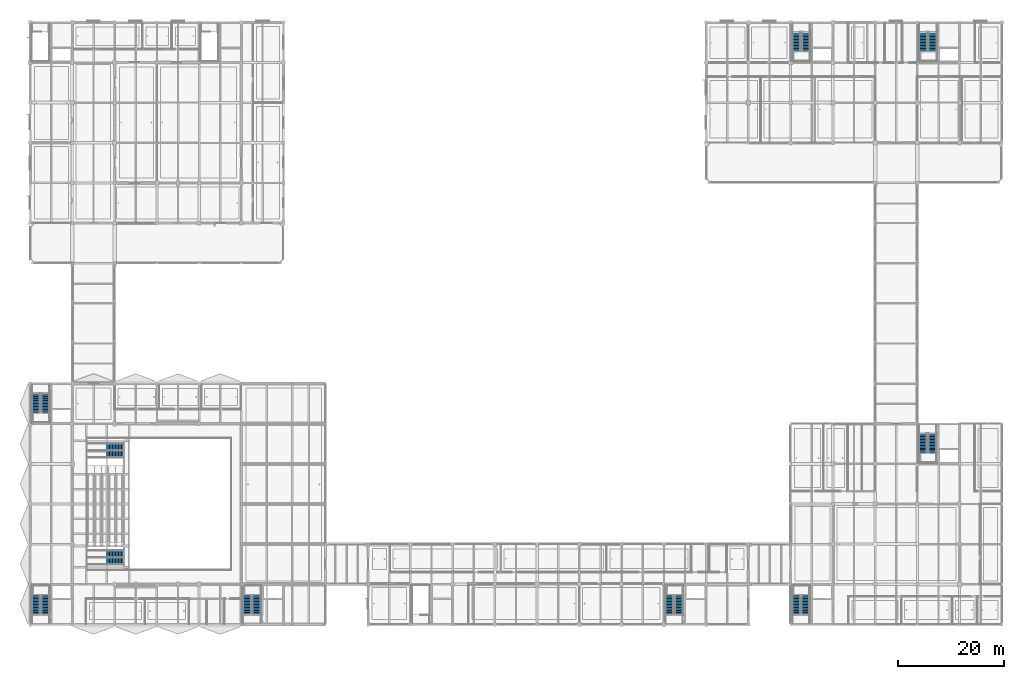
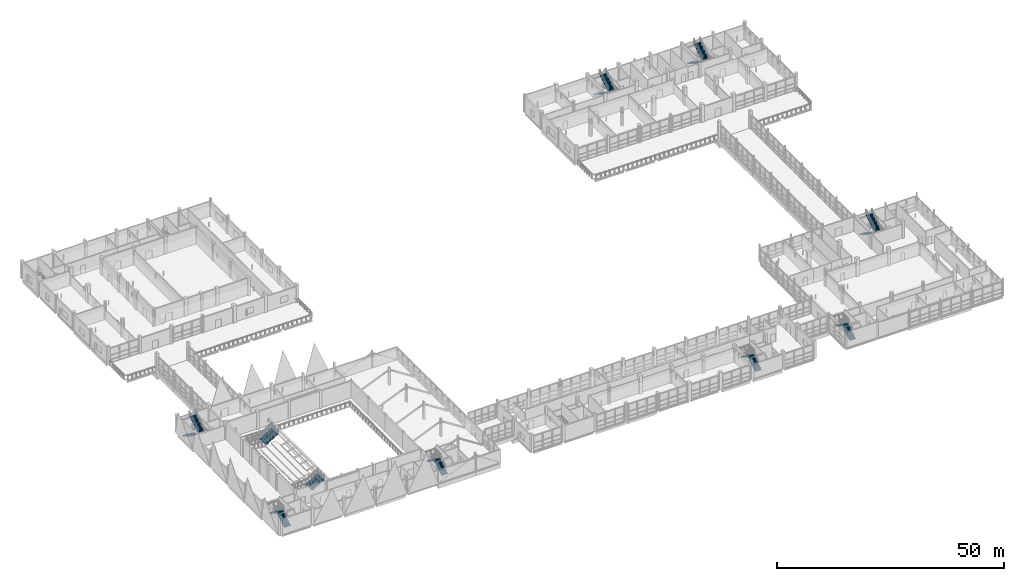
# One storey, part 98 of 141: 20 stair flights, 12 elements without a shape of their own.
"""IFC4 building model written with IfcOpenShell, lengths in metres."""

from ifc_helpers import new_model, si_unit, direction, frame, origin, place, context, subcontext, project, spatial, polyline, outline, extrude, material, type_object, element, aggregate, save


model = new_model("IFC4")

# Units and contexts
model_context = context("Model", 3, precision=1e-05, world=origin(), true_north=direction((0.0, 1.0)))
body_context = subcontext(model_context, "Body", "Model", "MODEL_VIEW")
ifc_project = project(units=[si_unit("LENGTHUNIT", "METRE"), si_unit("AREAUNIT", "SQUARE_METRE"), si_unit("VOLUMEUNIT", "CUBIC_METRE"), si_unit("PLANEANGLEUNIT", "RADIAN"), si_unit("MASSUNIT", "GRAM", prefix="KILO")], contexts=[model_context])

# Site, building, storey
site_placement = place(None, origin())
site = spatial("IfcSite", under=ifc_project, at=site_placement, CompositionType="ELEMENT")
building_placement = place(site_placement, origin())
building = spatial("IfcBuilding", under=site, at=building_placement, Name="Khelvaren Railside Concert Hall", CompositionType="ELEMENT")
storey_placement = place(building_placement, frame((0.0, 0.0, 10.199951171875)))
storey = spatial("IfcBuildingStorey", under=building, at=storey_placement, Name="L02", CompositionType="ELEMENT", Elevation=10.199951171875)

# Stair, stair flights
ifc_material_1 = material(Name="Concrete C40/50", Category="concrete")
stair_type_1 = type_object("IfcStairType", Name="ST52", PredefinedType="HALF_TURN_STAIR", material=ifc_material_1)
stair_1_placement = place(storey_placement, origin())
stair_1 = element("IfcStair", 1, at=stair_1_placement, inside=storey, type_object=stair_type_1, Name="L02 Core Exit Stair ST-01", PredefinedType="HALF_TURN_STAIR")
stair_flight_type_1 = type_object("IfcStairFlightType", Name="STF21", PredefinedType="STRAIGHT", material=ifc_material_1)
stair_flight_1_placement = place(storey_placement, frame((2.89990234375, 1.840087890625, 0.0), z_axis=(0.0, 0.0, 1.0), x_axis=(0.0, 1.0, 0.0)))
stair_flight_1 = element("IfcStairFlight", 2, at=stair_flight_1_placement, type_object=stair_flight_type_1, Name="ST-01 flight 1", NumberOfRisers=14, NumberOfTreads=13, PredefinedType="STRAIGHT", RiserHeight=0.171428571, TreadLength=0.28, context=body_context, shape_type="SweptSolid", body=[
    extrude(outline(polyline([(0.0, 0.0), (0.0, 0.17138671875), (0.280029296875, 0.17138671875), (0.280029296875, 0.3427734375), (0.56005859375, 0.3427734375), (0.56005859375, 0.514404296875), (0.840087890625, 0.514404296875), (0.840087890625, 0.685791015625), (1.1201171875, 0.685791015625), (1.1201171875, 0.857177734375), (1.39990234375, 0.857177734375), (1.39990234375, 1.028564453125), (1.679931640625, 1.028564453125), (1.679931640625, 1.199951171875), (1.9599609375, 1.199951171875), (1.9599609375, 1.371337890625), (2.239990234375, 1.371337890625), (2.239990234375, 1.54296875), (2.52001953125, 1.54296875), (2.52001953125, 1.71435546875), (2.800048828125, 1.71435546875), (2.800048828125, 1.8857421875), (3.080078125, 1.8857421875), (3.080078125, 2.05712890625), (3.360107421875, 2.05712890625), (3.360107421875, 2.228515625), (3.639892578125, 2.228515625), (3.639892578125, 2.39990234375), (3.639892578125, 2.052734375), (0.287109375, 0.0), (0.0, 0.0)])), frame((0.0, 0.800048828125, 0.0), z_axis=(0.0, -1.0, 0.0), x_axis=(1.0, 0.0, 0.0)), (0.0, 0.0, 1.0), 1.60009765625),
])
stair_flight_2_placement = place(storey_placement, frame((1.10009765625, 5.47998046875, 2.400146484375), z_axis=(0.0, 0.0, 1.0), x_axis=(0.0, -1.0, 0.0)))
stair_flight_2 = element("IfcStairFlight", 3, at=stair_flight_2_placement, type_object=stair_flight_type_1, Name="ST-01 flight 2", NumberOfRisers=14, NumberOfTreads=13, PredefinedType="STRAIGHT", RiserHeight=0.171428571, TreadLength=0.28, context=body_context, shape_type="SweptSolid", body=[
    extrude(outline(polyline([(0.0, 0.0), (0.0, 0.17138671875), (0.280029296875, 0.17138671875), (0.280029296875, 0.3427734375), (0.56005859375, 0.3427734375), (0.56005859375, 0.514404296875), (0.840087890625, 0.514404296875), (0.840087890625, 0.685791015625), (1.1201171875, 0.685791015625), (1.1201171875, 0.857177734375), (1.39990234375, 0.857177734375), (1.39990234375, 1.028564453125), (1.679931640625, 1.028564453125), (1.679931640625, 1.199951171875), (1.9599609375, 1.199951171875), (1.9599609375, 1.371337890625), (2.239990234375, 1.371337890625), (2.239990234375, 1.54296875), (2.52001953125, 1.54296875), (2.52001953125, 1.71435546875), (2.800048828125, 1.71435546875), (2.800048828125, 1.8857421875), (3.080078125, 1.8857421875), (3.080078125, 2.05712890625), (3.360107421875, 2.05712890625), (3.360107421875, 2.228515625), (3.639892578125, 2.228515625), (3.639892578125, 2.39990234375), (3.639892578125, 2.052734375), (0.287109375, 0.0), (0.0, 0.0)])), frame((0.0, 0.800048828125, 0.0), z_axis=(0.0, -1.0, 0.0), x_axis=(1.0, 0.0, 0.0)), (0.0, 0.0, 1.0), 1.60009765625),
])
aggregate(stair_1, [stair_flight_1, stair_flight_2])

stair_2_placement = place(storey_placement, origin())
stair_2 = element("IfcStair", 4, at=stair_2_placement, inside=storey, type_object=stair_type_1, Name="L02 Core Exit Stair ST-02", PredefinedType="HALF_TURN_STAIR")
stair_flight_3_placement = place(storey_placement, frame((42.89990234375, 1.840087890625, 0.0), z_axis=(0.0, 0.0, 1.0), x_axis=(0.0, 1.0, 0.0)))
stair_flight_3 = element("IfcStairFlight", 5, at=stair_flight_3_placement, type_object=stair_flight_type_1, Name="ST-02 flight 1", NumberOfRisers=14, NumberOfTreads=13, PredefinedType="STRAIGHT", RiserHeight=0.171428571, TreadLength=0.28, context=body_context, shape_type="SweptSolid", body=[
    extrude(outline(polyline([(0.0, 0.0), (0.0, 0.17138671875), (0.280029296875, 0.17138671875), (0.280029296875, 0.3427734375), (0.56005859375, 0.3427734375), (0.56005859375, 0.514404296875), (0.840087890625, 0.514404296875), (0.840087890625, 0.685791015625), (1.1201171875, 0.685791015625), (1.1201171875, 0.857177734375), (1.39990234375, 0.857177734375), (1.39990234375, 1.028564453125), (1.679931640625, 1.028564453125), (1.679931640625, 1.199951171875), (1.9599609375, 1.199951171875), (1.9599609375, 1.371337890625), (2.239990234375, 1.371337890625), (2.239990234375, 1.54296875), (2.52001953125, 1.54296875), (2.52001953125, 1.71435546875), (2.800048828125, 1.71435546875), (2.800048828125, 1.8857421875), (3.080078125, 1.8857421875), (3.080078125, 2.05712890625), (3.360107421875, 2.05712890625), (3.360107421875, 2.228515625), (3.639892578125, 2.228515625), (3.639892578125, 2.39990234375), (3.639892578125, 2.052734375), (0.287109375, 0.0), (0.0, 0.0)])), frame((0.0, 0.800048828125, 0.0), z_axis=(0.0, -1.0, 0.0), x_axis=(1.0, 0.0, 0.0)), (0.0, 0.0, 1.0), 1.60009765625),
])
stair_flight_4_placement = place(storey_placement, frame((41.10009765625, 5.47998046875, 2.400146484375), z_axis=(0.0, 0.0, 1.0), x_axis=(0.0, -1.0, 0.0)))
stair_flight_4 = element("IfcStairFlight", 6, at=stair_flight_4_placement, type_object=stair_flight_type_1, Name="ST-02 flight 2", NumberOfRisers=14, NumberOfTreads=13, PredefinedType="STRAIGHT", RiserHeight=0.171428571, TreadLength=0.28, context=body_context, shape_type="SweptSolid", body=[
    extrude(outline(polyline([(0.0, 0.0), (0.0, 0.17138671875), (0.280029296875, 0.17138671875), (0.280029296875, 0.3427734375), (0.56005859375, 0.3427734375), (0.56005859375, 0.514404296875), (0.840087890625, 0.514404296875), (0.840087890625, 0.685791015625), (1.1201171875, 0.685791015625), (1.1201171875, 0.857177734375), (1.39990234375, 0.857177734375), (1.39990234375, 1.028564453125), (1.679931640625, 1.028564453125), (1.679931640625, 1.199951171875), (1.9599609375, 1.199951171875), (1.9599609375, 1.371337890625), (2.239990234375, 1.371337890625), (2.239990234375, 1.54296875), (2.52001953125, 1.54296875), (2.52001953125, 1.71435546875), (2.800048828125, 1.71435546875), (2.800048828125, 1.8857421875), (3.080078125, 1.8857421875), (3.080078125, 2.05712890625), (3.360107421875, 2.05712890625), (3.360107421875, 2.228515625), (3.639892578125, 2.228515625), (3.639892578125, 2.39990234375), (3.639892578125, 2.052734375), (0.287109375, 0.0), (0.0, 0.0)])), frame((0.0, 0.800048828125, 0.0), z_axis=(0.0, -1.0, 0.0), x_axis=(1.0, 0.0, 0.0)), (0.0, 0.0, 1.0), 1.60009765625),
])
aggregate(stair_2, [stair_flight_3, stair_flight_4])

stair_3_placement = place(storey_placement, origin())
stair_3 = element("IfcStair", 7, at=stair_3_placement, inside=storey, type_object=stair_type_1, Name="L02 Core Exit Stair ST-11", PredefinedType="HALF_TURN_STAIR")
stair_flight_5_placement = place(storey_placement, frame((1.10009765625, 43.760009765625, 0.0), z_axis=(0.0, 0.0, 1.0), x_axis=(0.0, -1.0, 0.0)))
stair_flight_5 = element("IfcStairFlight", 8, at=stair_flight_5_placement, type_object=stair_flight_type_1, Name="ST-11 flight 1", NumberOfRisers=14, NumberOfTreads=13, PredefinedType="STRAIGHT", RiserHeight=0.171428571, TreadLength=0.28, context=body_context, shape_type="SweptSolid", body=[
    extrude(outline(polyline([(0.0, 0.0), (0.0, 0.17138671875), (0.280029296875, 0.17138671875), (0.280029296875, 0.3427734375), (0.56005859375, 0.3427734375), (0.56005859375, 0.514404296875), (0.840087890625, 0.514404296875), (0.840087890625, 0.685791015625), (1.1201171875, 0.685791015625), (1.1201171875, 0.857177734375), (1.39990234375, 0.857177734375), (1.39990234375, 1.028564453125), (1.679931640625, 1.028564453125), (1.679931640625, 1.199951171875), (1.9599609375, 1.199951171875), (1.9599609375, 1.371337890625), (2.239990234375, 1.371337890625), (2.239990234375, 1.54296875), (2.52001953125, 1.54296875), (2.52001953125, 1.71435546875), (2.800048828125, 1.71435546875), (2.800048828125, 1.8857421875), (3.080078125, 1.8857421875), (3.080078125, 2.05712890625), (3.360107421875, 2.05712890625), (3.360107421875, 2.228515625), (3.639892578125, 2.228515625), (3.639892578125, 2.39990234375), (3.639892578125, 2.052734375), (0.287109375, 0.0), (0.0, 0.0)])), frame((0.0, 0.800048828125, 0.0), z_axis=(0.0, -1.0, 0.0), x_axis=(1.0, 0.0, 0.0)), (0.0, 0.0, 1.0), 1.60009765625),
])
stair_flight_6_placement = place(storey_placement, frame((2.89990234375, 40.1201171875, 2.400146484375), z_axis=(0.0, 0.0, 1.0), x_axis=(0.0, 1.0, 0.0)))
stair_flight_6 = element("IfcStairFlight", 9, at=stair_flight_6_placement, type_object=stair_flight_type_1, Name="ST-11 flight 2", NumberOfRisers=14, NumberOfTreads=13, PredefinedType="STRAIGHT", RiserHeight=0.171428571, TreadLength=0.28, context=body_context, shape_type="SweptSolid", body=[
    extrude(outline(polyline([(0.0, 0.0), (0.0, 0.17138671875), (0.280029296875, 0.17138671875), (0.280029296875, 0.3427734375), (0.56005859375, 0.3427734375), (0.56005859375, 0.514404296875), (0.840087890625, 0.514404296875), (0.840087890625, 0.685791015625), (1.1201171875, 0.685791015625), (1.1201171875, 0.857177734375), (1.39990234375, 0.857177734375), (1.39990234375, 1.028564453125), (1.679931640625, 1.028564453125), (1.679931640625, 1.199951171875), (1.9599609375, 1.199951171875), (1.9599609375, 1.371337890625), (2.239990234375, 1.371337890625), (2.239990234375, 1.54296875), (2.52001953125, 1.54296875), (2.52001953125, 1.71435546875), (2.800048828125, 1.71435546875), (2.800048828125, 1.8857421875), (3.080078125, 1.8857421875), (3.080078125, 2.05712890625), (3.360107421875, 2.05712890625), (3.360107421875, 2.228515625), (3.639892578125, 2.228515625), (3.639892578125, 2.39990234375), (3.639892578125, 2.052734375), (0.287109375, 0.0), (0.0, 0.0)])), frame((0.0, 0.800048828125, 0.0), z_axis=(0.0, -1.0, 0.0), x_axis=(1.0, 0.0, 0.0)), (0.0, 0.0, 1.0), 1.60009765625),
])
aggregate(stair_3, [stair_flight_5, stair_flight_6])

stair_4_placement = place(storey_placement, origin())
stair_4 = element("IfcStair", 10, at=stair_4_placement, inside=storey, type_object=stair_type_1, Name="L02 Core Exit Stair ST-09", PredefinedType="HALF_TURN_STAIR")
stair_flight_7_placement = place(storey_placement, frame((145.10009765625, 112.159912109375, 0.0), z_axis=(0.0, 0.0, 1.0), x_axis=(0.0, -1.0, 0.0)))
stair_flight_7 = element("IfcStairFlight", 11, at=stair_flight_7_placement, type_object=stair_flight_type_1, Name="ST-09 flight 1", NumberOfRisers=14, NumberOfTreads=13, PredefinedType="STRAIGHT", RiserHeight=0.171428571, TreadLength=0.28, context=body_context, shape_type="SweptSolid", body=[
    extrude(outline(polyline([(0.0, 0.0), (0.0, 0.17138671875), (0.280029296875, 0.17138671875), (0.280029296875, 0.3427734375), (0.56005859375, 0.3427734375), (0.56005859375, 0.514404296875), (0.840087890625, 0.514404296875), (0.840087890625, 0.685791015625), (1.1201171875, 0.685791015625), (1.1201171875, 0.857177734375), (1.39990234375, 0.857177734375), (1.39990234375, 1.028564453125), (1.679931640625, 1.028564453125), (1.679931640625, 1.199951171875), (1.9599609375, 1.199951171875), (1.9599609375, 1.371337890625), (2.239990234375, 1.371337890625), (2.239990234375, 1.54296875), (2.52001953125, 1.54296875), (2.52001953125, 1.71435546875), (2.800048828125, 1.71435546875), (2.800048828125, 1.8857421875), (3.080078125, 1.8857421875), (3.080078125, 2.05712890625), (3.360107421875, 2.05712890625), (3.360107421875, 2.228515625), (3.639892578125, 2.228515625), (3.639892578125, 2.39990234375), (3.639892578125, 2.052734375), (0.287109375, 0.0), (0.0, 0.0)])), frame((0.0, 0.800048828125, 0.0), z_axis=(0.0, -1.0, 0.0), x_axis=(1.0, 0.0, 0.0)), (0.0, 0.0, 1.0), 1.60009765625),
])
stair_flight_8_placement = place(storey_placement, frame((146.89990234375, 108.52001953125, 2.400146484375), z_axis=(0.0, 0.0, 1.0), x_axis=(0.0, 1.0, 0.0)))
stair_flight_8 = element("IfcStairFlight", 12, at=stair_flight_8_placement, type_object=stair_flight_type_1, Name="ST-09 flight 2", NumberOfRisers=14, NumberOfTreads=13, PredefinedType="STRAIGHT", RiserHeight=0.171428571, TreadLength=0.28, context=body_context, shape_type="SweptSolid", body=[
    extrude(outline(polyline([(0.0, 0.0), (0.0, 0.17138671875), (0.280029296875, 0.17138671875), (0.280029296875, 0.3427734375), (0.56005859375, 0.3427734375), (0.56005859375, 0.514404296875), (0.840087890625, 0.514404296875), (0.840087890625, 0.685791015625), (1.1201171875, 0.685791015625), (1.1201171875, 0.857177734375), (1.39990234375, 0.857177734375), (1.39990234375, 1.028564453125), (1.679931640625, 1.028564453125), (1.679931640625, 1.199951171875), (1.9599609375, 1.199951171875), (1.9599609375, 1.371337890625), (2.239990234375, 1.371337890625), (2.239990234375, 1.54296875), (2.52001953125, 1.54296875), (2.52001953125, 1.71435546875), (2.800048828125, 1.71435546875), (2.800048828125, 1.8857421875), (3.080078125, 1.8857421875), (3.080078125, 2.05712890625), (3.360107421875, 2.05712890625), (3.360107421875, 2.228515625), (3.639892578125, 2.228515625), (3.639892578125, 2.39990234375), (3.639892578125, 2.052734375), (0.287109375, 0.0), (0.0, 0.0)])), frame((0.0, 0.800048828125, 0.0), z_axis=(0.0, -1.0, 0.0), x_axis=(1.0, 0.0, 0.0)), (0.0, 0.0, 1.0), 1.60009765625),
])
aggregate(stair_4, [stair_flight_7, stair_flight_8])

stair_5_placement = place(storey_placement, origin())
stair_5 = element("IfcStair", 13, at=stair_5_placement, inside=storey, type_object=stair_type_1, Name="L02 Core Exit Stair ST-10", PredefinedType="HALF_TURN_STAIR")
stair_flight_9_placement = place(storey_placement, frame((169.10009765625, 112.159912109375, 0.0), z_axis=(0.0, 0.0, 1.0), x_axis=(0.0, -1.0, 0.0)))
stair_flight_9 = element("IfcStairFlight", 14, at=stair_flight_9_placement, type_object=stair_flight_type_1, Name="ST-10 flight 1", NumberOfRisers=14, NumberOfTreads=13, PredefinedType="STRAIGHT", RiserHeight=0.171428571, TreadLength=0.28, context=body_context, shape_type="SweptSolid", body=[
    extrude(outline(polyline([(0.0, 0.0), (0.0, 0.17138671875), (0.280029296875, 0.17138671875), (0.280029296875, 0.3427734375), (0.56005859375, 0.3427734375), (0.56005859375, 0.514404296875), (0.840087890625, 0.514404296875), (0.840087890625, 0.685791015625), (1.1201171875, 0.685791015625), (1.1201171875, 0.857177734375), (1.39990234375, 0.857177734375), (1.39990234375, 1.028564453125), (1.679931640625, 1.028564453125), (1.679931640625, 1.199951171875), (1.9599609375, 1.199951171875), (1.9599609375, 1.371337890625), (2.239990234375, 1.371337890625), (2.239990234375, 1.54296875), (2.52001953125, 1.54296875), (2.52001953125, 1.71435546875), (2.800048828125, 1.71435546875), (2.800048828125, 1.8857421875), (3.080078125, 1.8857421875), (3.080078125, 2.05712890625), (3.360107421875, 2.05712890625), (3.360107421875, 2.228515625), (3.639892578125, 2.228515625), (3.639892578125, 2.39990234375), (3.639892578125, 2.052734375), (0.287109375, 0.0), (0.0, 0.0)])), frame((0.0, 0.800048828125, 0.0), z_axis=(0.0, -1.0, 0.0), x_axis=(1.0, 0.0, 0.0)), (0.0, 0.0, 1.0), 1.60009765625),
])
stair_flight_10_placement = place(storey_placement, frame((170.89990234375, 108.52001953125, 2.400146484375), z_axis=(0.0, 0.0, 1.0), x_axis=(0.0, 1.0, 0.0)))
stair_flight_10 = element("IfcStairFlight", 15, at=stair_flight_10_placement, type_object=stair_flight_type_1, Name="ST-10 flight 2", NumberOfRisers=14, NumberOfTreads=13, PredefinedType="STRAIGHT", RiserHeight=0.171428571, TreadLength=0.28, context=body_context, shape_type="SweptSolid", body=[
    extrude(outline(polyline([(0.0, 0.0), (0.0, 0.17138671875), (0.280029296875, 0.17138671875), (0.280029296875, 0.3427734375), (0.56005859375, 0.3427734375), (0.56005859375, 0.514404296875), (0.840087890625, 0.514404296875), (0.840087890625, 0.685791015625), (1.1201171875, 0.685791015625), (1.1201171875, 0.857177734375), (1.39990234375, 0.857177734375), (1.39990234375, 1.028564453125), (1.679931640625, 1.028564453125), (1.679931640625, 1.199951171875), (1.9599609375, 1.199951171875), (1.9599609375, 1.371337890625), (2.239990234375, 1.371337890625), (2.239990234375, 1.54296875), (2.52001953125, 1.54296875), (2.52001953125, 1.71435546875), (2.800048828125, 1.71435546875), (2.800048828125, 1.8857421875), (3.080078125, 1.8857421875), (3.080078125, 2.05712890625), (3.360107421875, 2.05712890625), (3.360107421875, 2.228515625), (3.639892578125, 2.228515625), (3.639892578125, 2.39990234375), (3.639892578125, 2.052734375), (0.287109375, 0.0), (0.0, 0.0)])), frame((0.0, 0.800048828125, 0.0), z_axis=(0.0, -1.0, 0.0), x_axis=(1.0, 0.0, 0.0)), (0.0, 0.0, 1.0), 1.60009765625),
])
aggregate(stair_5, [stair_flight_9, stair_flight_10])

stair_type_2 = type_object("IfcStairType", Name="ST70", PredefinedType="HALF_TURN_STAIR", material=ifc_material_1)
stair_6_placement = place(storey_placement, origin())
stair_6 = element("IfcStair", 16, at=stair_6_placement, inside=storey, type_object=stair_type_2, Name="L02 Core Exit Stair ST-03", PredefinedType="HALF_TURN_STAIR")
stair_flight_type_2 = type_object("IfcStairFlightType", Name="STF24", PredefinedType="STRAIGHT", material=ifc_material_1)
stair_flight_11_placement = place(storey_placement, frame((146.840087890625, 1.840087890625, 0.0), z_axis=(0.0, 0.0, 1.0), x_axis=(0.0, 1.0, 0.0)))
stair_flight_11 = element("IfcStairFlight", 17, at=stair_flight_11_placement, type_object=stair_flight_type_2, Name="ST-03 flight 1", NumberOfRisers=14, NumberOfTreads=13, PredefinedType="STRAIGHT", RiserHeight=0.171428571, TreadLength=0.28, context=body_context, shape_type="SweptSolid", body=[
    extrude(outline(polyline([(0.0, 0.0), (0.0, 0.17138671875), (0.280029296875, 0.17138671875), (0.280029296875, 0.3427734375), (0.56005859375, 0.3427734375), (0.56005859375, 0.514404296875), (0.840087890625, 0.514404296875), (0.840087890625, 0.685791015625), (1.1201171875, 0.685791015625), (1.1201171875, 0.857177734375), (1.39990234375, 0.857177734375), (1.39990234375, 1.028564453125), (1.679931640625, 1.028564453125), (1.679931640625, 1.199951171875), (1.9599609375, 1.199951171875), (1.9599609375, 1.371337890625), (2.239990234375, 1.371337890625), (2.239990234375, 1.54296875), (2.52001953125, 1.54296875), (2.52001953125, 1.71435546875), (2.800048828125, 1.71435546875), (2.800048828125, 1.8857421875), (3.080078125, 1.8857421875), (3.080078125, 2.05712890625), (3.360107421875, 2.05712890625), (3.360107421875, 2.228515625), (3.639892578125, 2.228515625), (3.639892578125, 2.39990234375), (3.639892578125, 2.052734375), (0.287109375, 0.0), (0.0, 0.0)])), frame((0.0, 0.780029296875, 0.0), z_axis=(0.0, -1.0, 0.0), x_axis=(1.0, 0.0, 0.0)), (0.0, 0.0, 1.0), 1.56005859375),
])
stair_flight_12_placement = place(storey_placement, frame((145.080078125, 5.47998046875, 2.400146484375), z_axis=(0.0, 0.0, 1.0), x_axis=(0.0, -1.0, 0.0)))
stair_flight_12 = element("IfcStairFlight", 18, at=stair_flight_12_placement, type_object=stair_flight_type_2, Name="ST-03 flight 2", NumberOfRisers=14, NumberOfTreads=13, PredefinedType="STRAIGHT", RiserHeight=0.171428571, TreadLength=0.28, context=body_context, shape_type="SweptSolid", body=[
    extrude(outline(polyline([(0.0, 0.0), (0.0, 0.17138671875), (0.280029296875, 0.17138671875), (0.280029296875, 0.3427734375), (0.56005859375, 0.3427734375), (0.56005859375, 0.514404296875), (0.840087890625, 0.514404296875), (0.840087890625, 0.685791015625), (1.1201171875, 0.685791015625), (1.1201171875, 0.857177734375), (1.39990234375, 0.857177734375), (1.39990234375, 1.028564453125), (1.679931640625, 1.028564453125), (1.679931640625, 1.199951171875), (1.9599609375, 1.199951171875), (1.9599609375, 1.371337890625), (2.239990234375, 1.371337890625), (2.239990234375, 1.54296875), (2.52001953125, 1.54296875), (2.52001953125, 1.71435546875), (2.800048828125, 1.71435546875), (2.800048828125, 1.8857421875), (3.080078125, 1.8857421875), (3.080078125, 2.05712890625), (3.360107421875, 2.05712890625), (3.360107421875, 2.228515625), (3.639892578125, 2.228515625), (3.639892578125, 2.39990234375), (3.639892578125, 2.052734375), (0.287109375, 0.0), (0.0, 0.0)])), frame((0.0, 0.780029296875, 0.0), z_axis=(0.0, -1.0, 0.0), x_axis=(1.0, 0.0, 0.0)), (0.0, 0.0, 1.0), 1.56005859375),
])
aggregate(stair_6, [stair_flight_11, stair_flight_12])

stair_7_placement = place(storey_placement, origin())
stair_7 = element("IfcStair", 19, at=stair_7_placement, inside=storey, type_object=stair_type_2, Name="L02 Core Exit Stair ST-04", PredefinedType="HALF_TURN_STAIR")
stair_flight_13_placement = place(storey_placement, frame((169.080078125, 36.159912109375, 0.0), z_axis=(0.0, 0.0, 1.0), x_axis=(0.0, -1.0, 0.0)))
stair_flight_13 = element("IfcStairFlight", 20, at=stair_flight_13_placement, type_object=stair_flight_type_2, Name="ST-04 flight 1", NumberOfRisers=14, NumberOfTreads=13, PredefinedType="STRAIGHT", RiserHeight=0.171428571, TreadLength=0.28, context=body_context, shape_type="SweptSolid", body=[
    extrude(outline(polyline([(0.0, 0.0), (0.0, 0.17138671875), (0.280029296875, 0.17138671875), (0.280029296875, 0.3427734375), (0.56005859375, 0.3427734375), (0.56005859375, 0.514404296875), (0.840087890625, 0.514404296875), (0.840087890625, 0.685791015625), (1.1201171875, 0.685791015625), (1.1201171875, 0.857177734375), (1.39990234375, 0.857177734375), (1.39990234375, 1.028564453125), (1.679931640625, 1.028564453125), (1.679931640625, 1.199951171875), (1.9599609375, 1.199951171875), (1.9599609375, 1.371337890625), (2.239990234375, 1.371337890625), (2.239990234375, 1.54296875), (2.52001953125, 1.54296875), (2.52001953125, 1.71435546875), (2.800048828125, 1.71435546875), (2.800048828125, 1.8857421875), (3.080078125, 1.8857421875), (3.080078125, 2.05712890625), (3.360107421875, 2.05712890625), (3.360107421875, 2.228515625), (3.639892578125, 2.228515625), (3.639892578125, 2.39990234375), (3.639892578125, 2.052734375), (0.287109375, 0.0), (0.0, 0.0)])), frame((0.0, 0.780029296875, 0.0), z_axis=(0.0, -1.0, 0.0), x_axis=(1.0, 0.0, 0.0)), (0.0, 0.0, 1.0), 1.56005859375),
])
stair_flight_14_placement = place(storey_placement, frame((170.840087890625, 32.52001953125, 2.400146484375), z_axis=(0.0, 0.0, 1.0), x_axis=(0.0, 1.0, 0.0)))
stair_flight_14 = element("IfcStairFlight", 21, at=stair_flight_14_placement, type_object=stair_flight_type_2, Name="ST-04 flight 2", NumberOfRisers=14, NumberOfTreads=13, PredefinedType="STRAIGHT", RiserHeight=0.171428571, TreadLength=0.28, context=body_context, shape_type="SweptSolid", body=[
    extrude(outline(polyline([(0.0, 0.0), (0.0, 0.17138671875), (0.280029296875, 0.17138671875), (0.280029296875, 0.3427734375), (0.56005859375, 0.3427734375), (0.56005859375, 0.514404296875), (0.840087890625, 0.514404296875), (0.840087890625, 0.685791015625), (1.1201171875, 0.685791015625), (1.1201171875, 0.857177734375), (1.39990234375, 0.857177734375), (1.39990234375, 1.028564453125), (1.679931640625, 1.028564453125), (1.679931640625, 1.199951171875), (1.9599609375, 1.199951171875), (1.9599609375, 1.371337890625), (2.239990234375, 1.371337890625), (2.239990234375, 1.54296875), (2.52001953125, 1.54296875), (2.52001953125, 1.71435546875), (2.800048828125, 1.71435546875), (2.800048828125, 1.8857421875), (3.080078125, 1.8857421875), (3.080078125, 2.05712890625), (3.360107421875, 2.05712890625), (3.360107421875, 2.228515625), (3.639892578125, 2.228515625), (3.639892578125, 2.39990234375), (3.639892578125, 2.052734375), (0.287109375, 0.0), (0.0, 0.0)])), frame((0.0, 0.780029296875, 0.0), z_axis=(0.0, -1.0, 0.0), x_axis=(1.0, 0.0, 0.0)), (0.0, 0.0, 1.0), 1.56005859375),
])
aggregate(stair_7, [stair_flight_13, stair_flight_14])

stair_8_placement = place(storey_placement, origin())
stair_8 = element("IfcStair", 22, at=stair_8_placement, inside=storey, type_object=stair_type_2, Name="L02 Core Exit Stair ST-06", PredefinedType="HALF_TURN_STAIR")
stair_flight_15_placement = place(storey_placement, frame((122.840087890625, 1.840087890625, 0.0), z_axis=(0.0, 0.0, 1.0), x_axis=(0.0, 1.0, 0.0)))
stair_flight_15 = element("IfcStairFlight", 23, at=stair_flight_15_placement, type_object=stair_flight_type_2, Name="ST-06 flight 1", NumberOfRisers=14, NumberOfTreads=13, PredefinedType="STRAIGHT", RiserHeight=0.171428571, TreadLength=0.28, context=body_context, shape_type="SweptSolid", body=[
    extrude(outline(polyline([(0.0, 0.0), (0.0, 0.17138671875), (0.280029296875, 0.17138671875), (0.280029296875, 0.3427734375), (0.56005859375, 0.3427734375), (0.56005859375, 0.514404296875), (0.840087890625, 0.514404296875), (0.840087890625, 0.685791015625), (1.1201171875, 0.685791015625), (1.1201171875, 0.857177734375), (1.39990234375, 0.857177734375), (1.39990234375, 1.028564453125), (1.679931640625, 1.028564453125), (1.679931640625, 1.199951171875), (1.9599609375, 1.199951171875), (1.9599609375, 1.371337890625), (2.239990234375, 1.371337890625), (2.239990234375, 1.54296875), (2.52001953125, 1.54296875), (2.52001953125, 1.71435546875), (2.800048828125, 1.71435546875), (2.800048828125, 1.8857421875), (3.080078125, 1.8857421875), (3.080078125, 2.05712890625), (3.360107421875, 2.05712890625), (3.360107421875, 2.228515625), (3.639892578125, 2.228515625), (3.639892578125, 2.39990234375), (3.639892578125, 2.052734375), (0.287109375, 0.0), (0.0, 0.0)])), frame((0.0, 0.780029296875, 0.0), z_axis=(0.0, -1.0, 0.0), x_axis=(1.0, 0.0, 0.0)), (0.0, 0.0, 1.0), 1.56005859375),
])
stair_flight_16_placement = place(storey_placement, frame((121.080078125, 5.47998046875, 2.400146484375), z_axis=(0.0, 0.0, 1.0), x_axis=(0.0, -1.0, 0.0)))
stair_flight_16 = element("IfcStairFlight", 24, at=stair_flight_16_placement, type_object=stair_flight_type_2, Name="ST-06 flight 2", NumberOfRisers=14, NumberOfTreads=13, PredefinedType="STRAIGHT", RiserHeight=0.171428571, TreadLength=0.28, context=body_context, shape_type="SweptSolid", body=[
    extrude(outline(polyline([(0.0, 0.0), (0.0, 0.17138671875), (0.280029296875, 0.17138671875), (0.280029296875, 0.3427734375), (0.56005859375, 0.3427734375), (0.56005859375, 0.514404296875), (0.840087890625, 0.514404296875), (0.840087890625, 0.685791015625), (1.1201171875, 0.685791015625), (1.1201171875, 0.857177734375), (1.39990234375, 0.857177734375), (1.39990234375, 1.028564453125), (1.679931640625, 1.028564453125), (1.679931640625, 1.199951171875), (1.9599609375, 1.199951171875), (1.9599609375, 1.371337890625), (2.239990234375, 1.371337890625), (2.239990234375, 1.54296875), (2.52001953125, 1.54296875), (2.52001953125, 1.71435546875), (2.800048828125, 1.71435546875), (2.800048828125, 1.8857421875), (3.080078125, 1.8857421875), (3.080078125, 2.05712890625), (3.360107421875, 2.05712890625), (3.360107421875, 2.228515625), (3.639892578125, 2.228515625), (3.639892578125, 2.39990234375), (3.639892578125, 2.052734375), (0.287109375, 0.0), (0.0, 0.0)])), frame((0.0, 0.780029296875, 0.0), z_axis=(0.0, -1.0, 0.0), x_axis=(1.0, 0.0, 0.0)), (0.0, 0.0, 1.0), 1.56005859375),
])
aggregate(stair_8, [stair_flight_15, stair_flight_16])

# Stair, stair flight
ifc_material_2 = material(Name="Precast architectural concrete C40/50", Category="concrete")
stair_type_3 = type_object("IfcStairType", Name="VST15", PredefinedType="STRAIGHT_RUN_STAIR", material=ifc_material_2)
stair_9_placement = place(storey_placement, origin())
stair_9 = element("IfcStair", 25, at=stair_9_placement, inside=storey, type_object=stair_type_3, Name="Auditorium Vomitory Stair ST-21", PredefinedType="STRAIGHT_RUN_STAIR")
stair_flight_type_3 = type_object("IfcStairFlightType", Name="VSTF62", PredefinedType="STRAIGHT", material=ifc_material_2)
stair_flight_17_placement = place(storey_placement, frame((14.469970703125, 12.0, 0.0), z_axis=(0.0, 0.0, 1.0), x_axis=(1.0, 0.0, 0.0)))
stair_flight_17 = element("IfcStairFlight", 26, at=stair_flight_17_placement, type_object=stair_flight_type_3, Name="ST-21 flight 1", NumberOfRisers=12, NumberOfTreads=11, PredefinedType="STRAIGHT", RiserHeight=0.17, TreadLength=0.28, context=body_context, shape_type="SweptSolid", body=[
    extrude(outline(polyline([(0.0, 0.0), (0.0, 0.169921875), (0.280029296875, 0.169921875), (0.280029296875, 0.340087890625), (0.56005859375, 0.340087890625), (0.56005859375, 0.510009765625), (0.840087890625, 0.510009765625), (0.840087890625, 0.679931640625), (1.1201171875, 0.679931640625), (1.1201171875, 0.85009765625), (1.39990234375, 0.85009765625), (1.39990234375, 1.02001953125), (1.679931640625, 1.02001953125), (1.679931640625, 1.18994140625), (1.9599609375, 1.18994140625), (1.9599609375, 1.360107421875), (2.239990234375, 1.360107421875), (2.239990234375, 1.530029296875), (2.52001953125, 1.530029296875), (2.52001953125, 1.699951171875), (2.800048828125, 1.699951171875), (2.800048828125, 1.8701171875), (3.080078125, 1.8701171875), (3.080078125, 2.0400390625), (3.080078125, 1.694580078125), (0.288818359375, 0.0), (0.0, 0.0)])), frame((0.0, 0.699951171875, 0.0), z_axis=(0.0, -1.0, 0.0), x_axis=(1.0, 0.0, 0.0)), (0.0, 0.0, 1.0), 1.39990234375),
])
aggregate(stair_9, [stair_flight_17])

stair_10_placement = place(storey_placement, origin())
stair_10 = element("IfcStair", 27, at=stair_10_placement, inside=storey, type_object=stair_type_3, Name="Auditorium Vomitory Stair ST-22", PredefinedType="STRAIGHT_RUN_STAIR")
stair_flight_18_placement = place(storey_placement, frame((14.469970703125, 13.35009765625, 0.0), z_axis=(0.0, 0.0, 1.0), x_axis=(1.0, 0.0, 0.0)))
stair_flight_18 = element("IfcStairFlight", 28, at=stair_flight_18_placement, type_object=stair_flight_type_3, Name="ST-22 flight 1", NumberOfRisers=12, NumberOfTreads=11, PredefinedType="STRAIGHT", RiserHeight=0.17, TreadLength=0.28, context=body_context, shape_type="SweptSolid", body=[
    extrude(outline(polyline([(0.0, 0.0), (0.0, 0.169921875), (0.280029296875, 0.169921875), (0.280029296875, 0.340087890625), (0.56005859375, 0.340087890625), (0.56005859375, 0.510009765625), (0.840087890625, 0.510009765625), (0.840087890625, 0.679931640625), (1.1201171875, 0.679931640625), (1.1201171875, 0.85009765625), (1.39990234375, 0.85009765625), (1.39990234375, 1.02001953125), (1.679931640625, 1.02001953125), (1.679931640625, 1.18994140625), (1.9599609375, 1.18994140625), (1.9599609375, 1.360107421875), (2.239990234375, 1.360107421875), (2.239990234375, 1.530029296875), (2.52001953125, 1.530029296875), (2.52001953125, 1.699951171875), (2.800048828125, 1.699951171875), (2.800048828125, 1.8701171875), (3.080078125, 1.8701171875), (3.080078125, 2.0400390625), (3.080078125, 1.694580078125), (0.288818359375, 0.0), (0.0, 0.0)])), frame((0.0, 0.699951171875, 0.0), z_axis=(0.0, -1.0, 0.0), x_axis=(1.0, 0.0, 0.0)), (0.0, 0.0, 1.0), 1.39990234375),
])
aggregate(stair_10, [stair_flight_18])

stair_11_placement = place(storey_placement, origin())
stair_11 = element("IfcStair", 29, at=stair_11_placement, inside=storey, type_object=stair_type_3, Name="Auditorium Vomitory Stair ST-23", PredefinedType="STRAIGHT_RUN_STAIR")
stair_flight_19_placement = place(storey_placement, frame((14.469970703125, 32.25, 0.0), z_axis=(0.0, 0.0, 1.0), x_axis=(1.0, 0.0, 0.0)))
stair_flight_19 = element("IfcStairFlight", 30, at=stair_flight_19_placement, type_object=stair_flight_type_3, Name="ST-23 flight 1", NumberOfRisers=12, NumberOfTreads=11, PredefinedType="STRAIGHT", RiserHeight=0.17, TreadLength=0.28, context=body_context, shape_type="SweptSolid", body=[
    extrude(outline(polyline([(0.0, 0.0), (0.0, 0.169921875), (0.280029296875, 0.169921875), (0.280029296875, 0.340087890625), (0.56005859375, 0.340087890625), (0.56005859375, 0.510009765625), (0.840087890625, 0.510009765625), (0.840087890625, 0.679931640625), (1.1201171875, 0.679931640625), (1.1201171875, 0.85009765625), (1.39990234375, 0.85009765625), (1.39990234375, 1.02001953125), (1.679931640625, 1.02001953125), (1.679931640625, 1.18994140625), (1.9599609375, 1.18994140625), (1.9599609375, 1.360107421875), (2.239990234375, 1.360107421875), (2.239990234375, 1.530029296875), (2.52001953125, 1.530029296875), (2.52001953125, 1.699951171875), (2.800048828125, 1.699951171875), (2.800048828125, 1.8701171875), (3.080078125, 1.8701171875), (3.080078125, 2.0400390625), (3.080078125, 1.694580078125), (0.288818359375, 0.0), (0.0, 0.0)])), frame((0.0, 0.699951171875, 0.0), z_axis=(0.0, -1.0, 0.0), x_axis=(1.0, 0.0, 0.0)), (0.0, 0.0, 1.0), 1.39990234375),
])
aggregate(stair_11, [stair_flight_19])

stair_12_placement = place(storey_placement, origin())
stair_12 = element("IfcStair", 31, at=stair_12_placement, inside=storey, type_object=stair_type_3, Name="Auditorium Vomitory Stair ST-24", PredefinedType="STRAIGHT_RUN_STAIR")
stair_flight_20_placement = place(storey_placement, frame((14.469970703125, 33.60009765625, 0.0), z_axis=(0.0, 0.0, 1.0), x_axis=(1.0, 0.0, 0.0)))
stair_flight_20 = element("IfcStairFlight", 32, at=stair_flight_20_placement, type_object=stair_flight_type_3, Name="ST-24 flight 1", NumberOfRisers=12, NumberOfTreads=11, PredefinedType="STRAIGHT", RiserHeight=0.17, TreadLength=0.28, context=body_context, shape_type="SweptSolid", body=[
    extrude(outline(polyline([(0.0, 0.0), (0.0, 0.169921875), (0.280029296875, 0.169921875), (0.280029296875, 0.340087890625), (0.56005859375, 0.340087890625), (0.56005859375, 0.510009765625), (0.840087890625, 0.510009765625), (0.840087890625, 0.679931640625), (1.1201171875, 0.679931640625), (1.1201171875, 0.85009765625), (1.39990234375, 0.85009765625), (1.39990234375, 1.02001953125), (1.679931640625, 1.02001953125), (1.679931640625, 1.18994140625), (1.9599609375, 1.18994140625), (1.9599609375, 1.360107421875), (2.239990234375, 1.360107421875), (2.239990234375, 1.530029296875), (2.52001953125, 1.530029296875), (2.52001953125, 1.699951171875), (2.800048828125, 1.699951171875), (2.800048828125, 1.8701171875), (3.080078125, 1.8701171875), (3.080078125, 2.0400390625), (3.080078125, 1.694580078125), (0.288818359375, 0.0), (0.0, 0.0)])), frame((0.0, 0.699951171875, 0.0), z_axis=(0.0, -1.0, 0.0), x_axis=(1.0, 0.0, 0.0)), (0.0, 0.0, 1.0), 1.39990234375),
])
aggregate(stair_12, [stair_flight_20])

save(model, "model.ifc")
